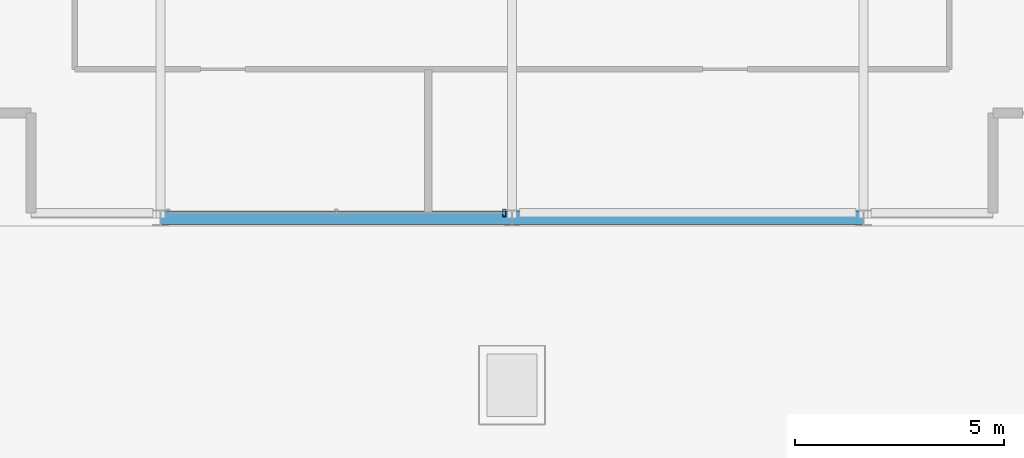
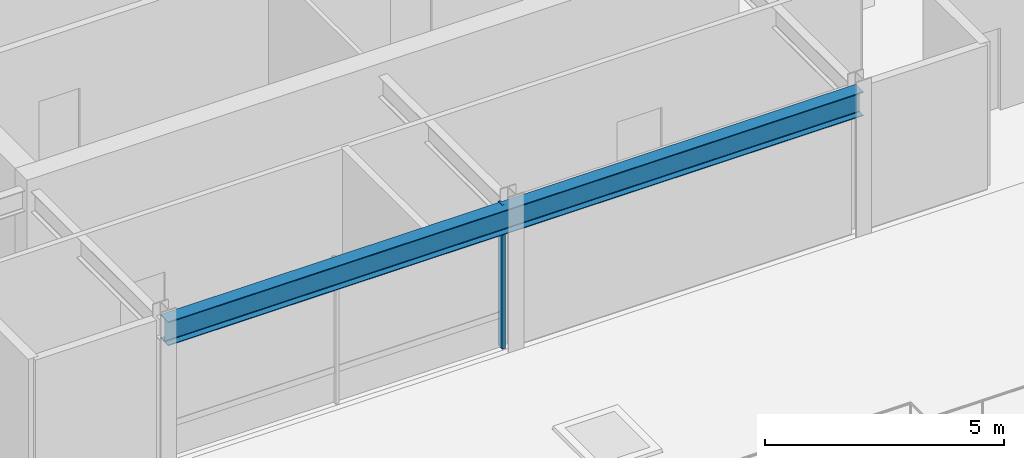
# One storey, part 4 of 17: 1 beam, 1 member, 1 element without a shape of its own.
"""IFC4 building model written with IfcOpenShell, lengths in metres."""

from ifc_helpers import new_model, si_unit, direction, frame, origin, origin_2d, place, context, subcontext, project, spatial, hollow_rectangle, i_section, extrude, material, layer, layer_set, material_profile, profile_set, type_object, element, aggregate, save


model = new_model("IFC4")

# Units and contexts
model_context = context("Model", 3, precision=1e-05, world=origin(), true_north=direction((0.0, 1.0)))
body_context = subcontext(model_context, "Body", "Model", "MODEL_VIEW")
ifc_project = project(units=[si_unit("LENGTHUNIT", "METRE"), si_unit("AREAUNIT", "SQUARE_METRE"), si_unit("VOLUMEUNIT", "CUBIC_METRE"), si_unit("PLANEANGLEUNIT", "RADIAN"), si_unit("MASSUNIT", "GRAM", prefix="KILO")], contexts=[model_context])

# Site, building, storey
site_placement = place(None, origin())
site = spatial("IfcSite", under=ifc_project, at=site_placement, CompositionType="ELEMENT")
building_placement = place(site_placement, origin())
building = spatial("IfcBuilding", under=site, at=building_placement, Name="Drelvath Grand Hotel", CompositionType="ELEMENT")
storey_placement = place(building_placement, frame((0.0, 0.0, 311.39990234375)))
storey = spatial("IfcBuildingStorey", under=building, at=storey_placement, Name="L81", CompositionType="ELEMENT", Elevation=311.39990234375)

# Curtain wall, member
ifc_material_1 = material(Name="Pale-Metal Anodised Aluminium Crown Frame", Category="aluminium")
ifc_layer = layer(ifc_material_1, 0.199951171875)
ifc_layer_set = layer_set([ifc_layer], Name="Pale-Metal Anodised Aluminium Crown Frame")
curtain_wall_type = type_object("IfcCurtainWallType", Name="Stick Curtain Wall CW-06 Pale-Metal Crown Clerestory", PredefinedType="NOTDEFINED", material=ifc_layer_set)
curtain_wall_placement = place(storey_placement, origin())
curtain_wall = element("IfcCurtainWall", 1, at=curtain_wall_placement, inside=storey, type_object=curtain_wall_type, Name="L81 CW-06 Curtain Wall CW06-L81-S", PredefinedType="NOTDEFINED")
ifc_material_profile_1 = material_profile(ifc_material_1, hollow_rectangle(XDim=0.074951171875, YDim=0.179931640625, WallThickness=0.0048828125, at=origin_2d()), Name="HSS180X75X5")
ifc_profile_set_1 = profile_set([ifc_material_profile_1], Name="Pale-Metal Anodised Aluminium Crown Frame")
member_type = type_object("IfcMemberType", Name="Curtain Wall Vertical Mullion CW-06 HSS180X75X5", PredefinedType="MULLION", material=ifc_profile_set_1)
member_placement = place(storey_placement, frame((-0.18310546875, 13.1201171875, 0.0), z_axis=(0.0, 0.0, 1.0), x_axis=(1.0, 0.0, 0.0)))
member = element("IfcMember", 2, at=member_placement, type_object=member_type, Name="CW06-L81-S Mullion 1", PredefinedType="MULLION", context=body_context, shape_type="SweptSolid", body=[
    extrude(hollow_rectangle(XDim=0.074951171875, YDim=0.179931640625, WallThickness=0.0048828125, at=origin_2d()), origin(), (0.0, 0.0, 1.0), 3.68017578125),
])
aggregate(curtain_wall, [member])

# Beam
ifc_material_2 = material(Name="Steel ASTM A992 Gr 50", Category="steel")
ifc_material_profile_2 = material_profile(ifc_material_2, i_section(OverallWidth=0.323974609375, OverallDepth=0.611083984375, WebThickness=0.0126953125, FlangeThickness=0.01904296875, FilletRadius=0.02197265625, at=origin_2d()), Name="W24X104")
ifc_profile_set_2 = profile_set([ifc_material_profile_2], Name="Steel ASTM A992 Gr 50")
beam_type = type_object("IfcBeamType", Name="Primary Floor Girder W24X104", PredefinedType="BEAM", material=ifc_profile_set_2)
beam_placement = place(storey_placement, frame((-8.39990234375, 13.0, 3.37451171875), z_axis=(1.0, 0.0, 0.0), x_axis=(0.0, 1.0, 0.0)))
element("IfcBeam", 3, at=beam_placement, inside=storey, type_object=beam_type, Name="L81 Crown Drum Ring Beam South", PredefinedType="BEAM", context=body_context, shape_type="SweptSolid", body=[
    extrude(i_section(OverallWidth=0.323974609375, OverallDepth=0.611083984375, WebThickness=0.0126953125, FlangeThickness=0.01904296875, FilletRadius=0.02197265625, at=origin_2d()), origin(), (0.0, 0.0, 1.0), 16.7998046875),
])

save(model, "model.ifc")
